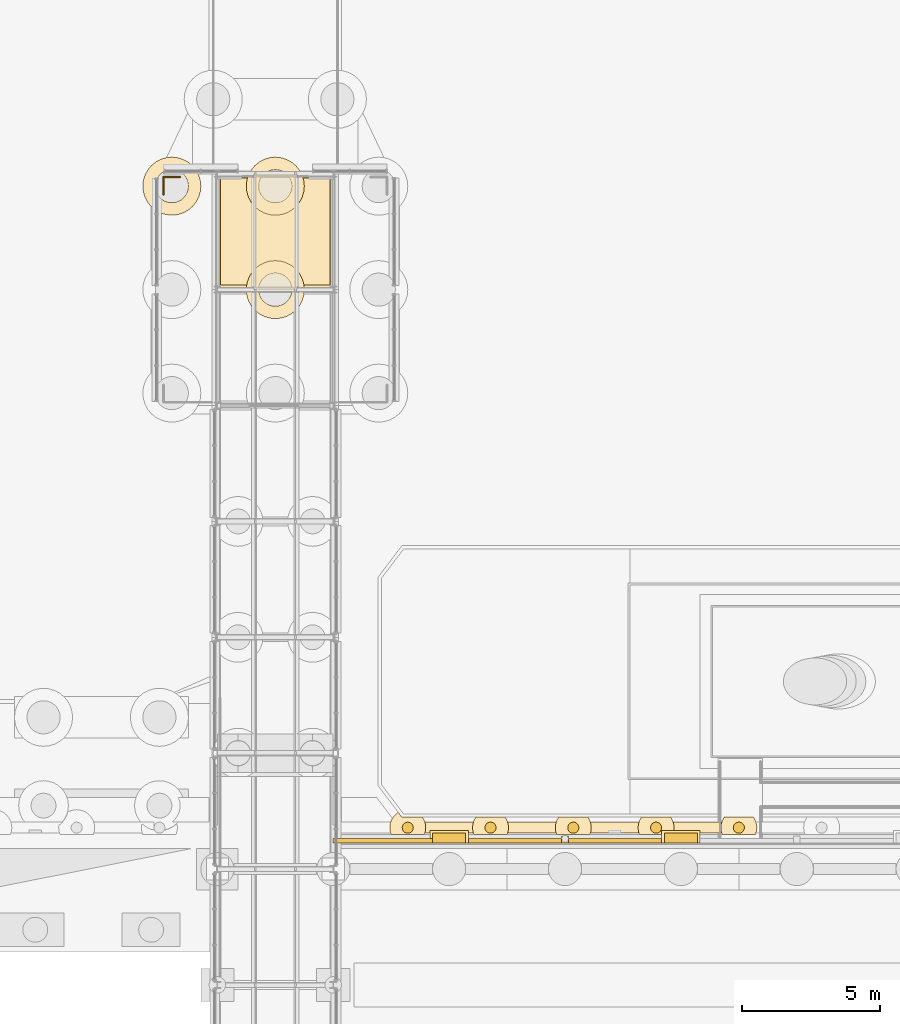
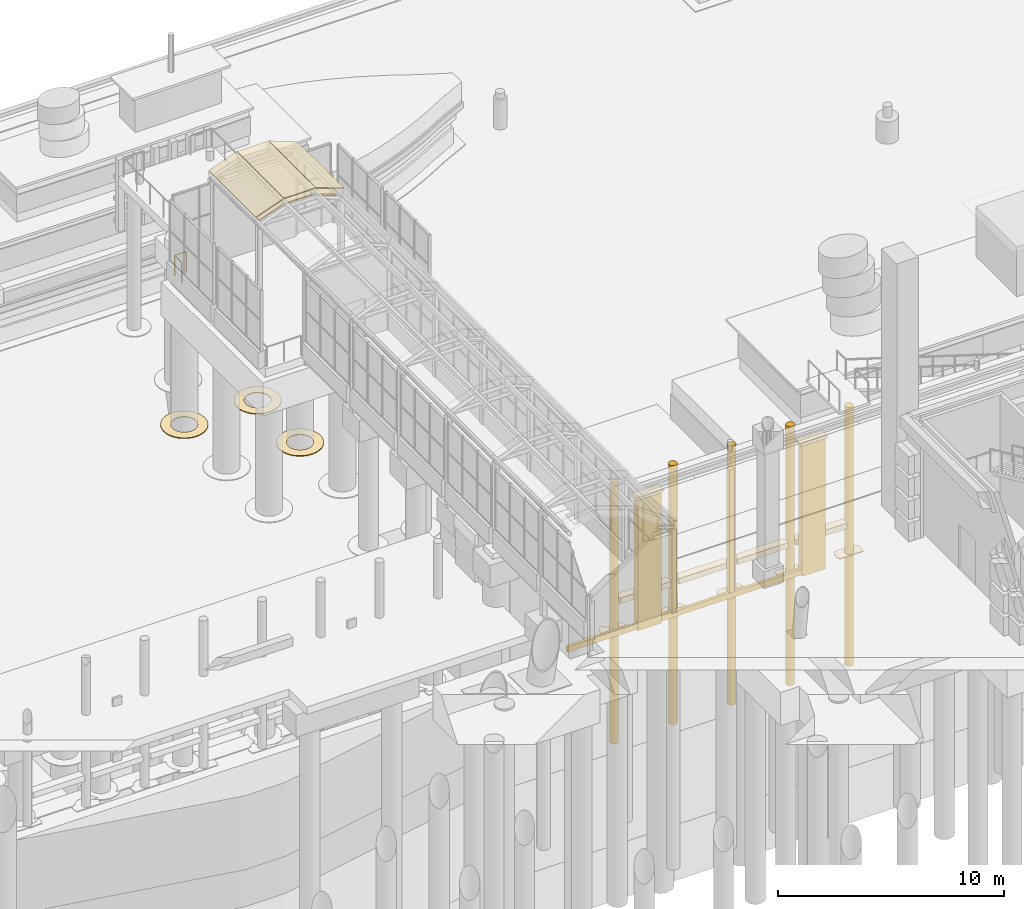
# One storey, part 190 of 222: 30 coverings, 2 railings.
"""IFC4 building model written with IfcOpenShell, lengths in metres."""

from ifc_helpers import new_model, si_unit, direction, frame, origin, origin_2d, place, context, subcontext, project, spatial, polyline, circle, outline, extrude, material, layer, layer_set, type_object, element, save


model = new_model("IFC4")

# Units and contexts
model_context = context("Model", 3, precision=1e-05, world=origin(), true_north=direction((0.0, 1.0)))
body_context = subcontext(model_context, "Body", "Model", "MODEL_VIEW")
ifc_project = project(units=[si_unit("LENGTHUNIT", "METRE"), si_unit("AREAUNIT", "SQUARE_METRE"), si_unit("VOLUMEUNIT", "CUBIC_METRE"), si_unit("PLANEANGLEUNIT", "RADIAN"), si_unit("MASSUNIT", "GRAM", prefix="KILO")], contexts=[model_context])

# Site, building, storey
site_placement = place(None, origin())
site = spatial("IfcSite", under=ifc_project, at=site_placement, CompositionType="ELEMENT")
building_placement = place(site_placement, origin())
building = spatial("IfcBuilding", under=site, at=building_placement, Name="Sava Quay Ferry Terminal", CompositionType="ELEMENT")
storey_placement = place(building_placement, origin())
storey = spatial("IfcBuildingStorey", under=building, at=storey_placement, Name="L00", CompositionType="ELEMENT", Elevation=0.0)

# Railings
ifc_material_1 = material(Name="Steel S355", Category="steel")
railing_type = type_object("IfcRailingType", Name="Edge guard 1100", PredefinedType="GUARDRAIL", material=ifc_material_1)
railing_1_placement = place(storey_placement, frame((73.64990234375, 142.050048828125, 0.0)))
element("IfcRailing", 1, at=railing_1_placement, inside=storey, type_object=railing_type, Name="Berth head north-west corner guard", PredefinedType="GUARDRAIL", context=body_context, shape_type="SweptSolid", body=[
    extrude(circle(Radius=0.02392578125, at=origin_2d()), frame((0.0, 0.0, 1.076171875), z_axis=(0.0, 1.0, 0.0), x_axis=(-1.0, 0.0, 0.0)), (0.0, 0.0, 1.0), 0.6298828125),
    extrude(circle(Radius=0.02099609375, at=origin_2d()), origin(), (0.0, 0.0, 1.0), 1.052001953125),
    extrude(circle(Radius=0.02099609375, at=origin_2d()), frame((0.0, 0.6298828125, 0.0)), (0.0, 0.0, 1.0), 1.052001953125),
])
railing_2_placement = place(storey_placement, frame((73.64990234375, 142.679931640625, 0.0)))
element("IfcRailing", 2, at=railing_2_placement, inside=storey, type_object=railing_type, Name="Berth head north-west corner guard", PredefinedType="GUARDRAIL", context=body_context, shape_type="SweptSolid", body=[
    extrude(circle(Radius=0.02392578125, at=origin_2d()), frame((0.0, 0.0, 1.076171875), z_axis=(1.0, 0.0, 0.0), x_axis=(0.0, 1.0, 0.0)), (0.0, 0.0, 1.0), 0.60009765625),
    extrude(circle(Radius=0.02099609375, at=origin_2d()), origin(), (0.0, 0.0, 1.0), 1.052001953125),
    extrude(circle(Radius=0.02099609375, at=origin_2d()), frame((0.60009765625, 0.0, 0.0)), (0.0, 0.0, 1.0), 1.052001953125),
])

# Coverings
ifc_material_2 = material(Name="Greenheart timber", Category="wood")
ifc_layer_1 = layer(ifc_material_2, 0.25)
ifc_layer_set_1 = layer_set([ifc_layer_1], Name="Greenheart timber")
covering_type_1 = type_object("IfcCoveringType", Name="Fender post 250", PredefinedType="CLADDING", material=ifc_layer_set_1)
covering_1_placement = place(storey_placement, frame((0.0, 0.0, -7.60009765625)))
element("IfcCovering", 3, at=covering_1_placement, inside=storey, type_object=covering_type_1, Name="Fender post", PredefinedType="CLADDING", context=body_context, shape_type="SweptSolid", body=[
    extrude(outline(polyline([(88.324951171875, 118.550048828125), (88.324951171875, 118.800048828125), (88.074951171875, 118.800048828125), (88.074951171875, 118.550048828125), (88.324951171875, 118.550048828125)])), origin(), (0.0, 0.0, 1.0), 6.650146484375),
])
ifc_material_3 = material(Name="Greenheart timber", Category="wood")
ifc_layer_2 = layer(ifc_material_3, 0.14990234375)
ifc_layer_set_2 = layer_set([ifc_layer_2], Name="Greenheart timber")
covering_type_2 = type_object("IfcCoveringType", Name="Fender rubbing strip 150", PredefinedType="CLADDING", material=ifc_layer_set_2)
covering_2_placement = place(storey_placement, frame((0.0, 0.0, -7.89990234375)))
element("IfcCovering", 4, at=covering_2_placement, inside=storey, type_object=covering_type_2, Name="Fender rubbing strip", PredefinedType="CLADDING", context=body_context, shape_type="SweptSolid", body=[
    extrude(outline(polyline([(84.610107421875, 118.550048828125), (91.7900390625, 118.550048828125), (91.7900390625, 118.699951171875), (84.610107421875, 118.699951171875), (84.610107421875, 118.550048828125)])), origin(), (0.0, 0.0, 1.0), 0.2998046875),
])
covering_3_placement = place(storey_placement, frame((0.0, 0.0, -7.89990234375)))
element("IfcCovering", 5, at=covering_3_placement, inside=storey, type_object=covering_type_2, Name="Fender rubbing strip", PredefinedType="CLADDING", context=body_context, shape_type="SweptSolid", body=[
    extrude(outline(polyline([(79.800048828125, 118.550048828125), (83.389892578125, 118.550048828125), (83.389892578125, 118.699951171875), (79.800048828125, 118.699951171875), (79.800048828125, 118.550048828125)])), origin(), (0.0, 0.0, 1.0), 0.2998046875),
])
ifc_material_4 = material(Name="Glulam GL28h", Category="wood")
ifc_layer_3 = layer(ifc_material_4, 0.06005859375)
ifc_layer_set_3 = layer_set([ifc_layer_3], Name="Glulam GL28h")
covering_type_3 = type_object("IfcCoveringType", Name="Glulam soffit lining 60", PredefinedType="CEILING", material=ifc_layer_set_3)
covering_4_placement = place(storey_placement, frame((75.71728515625, 138.760009765625, 4.645751953125), z_axis=(-0.342028329159, 0.0, 0.939689641346), x_axis=(0.939689641346, 0.0, 0.342028329159)))
element("IfcCovering", 6, at=covering_4_placement, inside=storey, type_object=covering_type_3, Name="Boarding gallery B2 timber soffit lining bay 8 facet 1", PredefinedType="CEILING", context=body_context, shape_type="SweptSolid", body=[
    extrude(outline(polyline([(0.0, 0.0), (1.3055444975084805, 0.0), (1.3055444975084805, 3.8798828125), (0.0, 3.8798828125), (0.0, 0.0)])), origin(), (0.0, 0.0, -1.0), 0.06005859375),
])
covering_5_placement = place(storey_placement, frame((76.963623046875, 138.760009765625, 5.095703125), z_axis=(0.0, 0.0, 1.0), x_axis=(1.0, 0.0, 0.0)))
element("IfcCovering", 7, at=covering_5_placement, inside=storey, type_object=covering_type_3, Name="Boarding gallery B2 timber soffit lining bay 8 facet 2", PredefinedType="CEILING", context=body_context, shape_type="SweptSolid", body=[
    extrude(outline(polyline([(0.0, 0.0), (1.472900390625, 0.0), (1.472900390625, 3.8798828125), (0.0, 3.8798828125), (0.0, 0.0)])), origin(), (0.0, 0.0, -1.0), 0.06005859375),
])
covering_6_placement = place(storey_placement, frame((78.455810546875, 138.760009765625, 5.09228515625), z_axis=(0.341968236193, 0.0, 0.939711511814), x_axis=(0.939711511814, 0.0, -0.341968236193)))
element("IfcCovering", 8, at=covering_6_placement, inside=storey, type_object=covering_type_3, Name="Boarding gallery B2 timber soffit lining bay 8 facet 3", PredefinedType="CEILING", context=body_context, shape_type="SweptSolid", body=[
    extrude(outline(polyline([(0.0, 0.0), (1.305773916594794, 0.0), (1.305773916594794, 3.8798828125), (0.0, 3.8798828125), (0.0, 0.0)])), origin(), (0.0, 0.0, -1.0), 0.06005859375),
])
ifc_material_5 = material(Name="Timber", Category="wood")
ifc_layer_4 = layer(ifc_material_5, 0.39990234375)
ifc_layer_set_4 = layer_set([ifc_layer_4], Name="Timber")
covering_type_4 = type_object("IfcCoveringType", Name="Quay fender pile 400", PredefinedType="CLADDING", material=ifc_layer_set_4)
for number, where, z_axis, x_axis, name in (
    (9, (82.5, 119.10009765625, 0.0), (0.0, 0.0, -1.0), (1.0, 0.0, 0.0), "Quay fender pile"),
    (10, (85.5, 119.10009765625, 0.0), (0.0, 0.0, -1.0), (1.0, 0.0, 0.0), "Quay fender pile"),
    (11, (88.5, 119.10009765625, 0.0), (0.0, 0.0, -1.0), (1.0, 0.0, 0.0), "Quay fender pile"),
    (12, (91.5, 119.10009765625, 0.0), (0.0, 0.0, -1.0), (1.0, 0.0, 0.0), "Quay fender pile"),
    (13, (94.5, 119.10009765625, 0.0), (0.0, 0.0, -1.0), (1.0, 0.0, 0.0), "Quay fender pile"),
):
    element("IfcCovering", number, at=place(storey_placement, frame(where, z_axis=z_axis, x_axis=x_axis)), inside=storey, type_object=covering_type_4, Name=name, PredefinedType="CLADDING", context=body_context, shape_type="SweptSolid", body=[
        extrude(circle(Radius=0.199951171875, at=origin_2d()), origin(), (0.0, 0.0, 1.0), 14.0),
    ])
ifc_material_6 = material(Name="Timber", Category="wood")
ifc_layer_5 = layer(ifc_material_6, 0.39990234375)
ifc_layer_set_5 = layer_set([ifc_layer_5], Name="Timber")
covering_type_5 = type_object("IfcCoveringType", Name="Quay fender waling", PredefinedType="MOLDING", material=ifc_layer_set_5)
covering_7_placement = place(storey_placement, frame((0.0, 0.0, -6.5)))
element("IfcCovering", 14, at=covering_7_placement, inside=storey, type_object=covering_type_5, Name="Quay fender waling", PredefinedType="MOLDING", context=body_context, shape_type="SweptSolid", body=[
    extrude(outline(polyline([(85.300048828125, 118.89990234375), (85.300048828125, 119.300048828125), (82.699951171875, 119.300048828125), (82.699951171875, 118.89990234375), (85.300048828125, 118.89990234375)])), origin(), (0.0, 0.0, 1.0), 0.300048828125),
])
covering_8_placement = place(storey_placement, frame((0.0, 0.0, -6.5)))
element("IfcCovering", 15, at=covering_8_placement, inside=storey, type_object=covering_type_5, Name="Quay fender waling", PredefinedType="MOLDING", context=body_context, shape_type="SweptSolid", body=[
    extrude(outline(polyline([(88.300048828125, 118.89990234375), (88.300048828125, 119.300048828125), (85.699951171875, 119.300048828125), (85.699951171875, 118.89990234375), (88.300048828125, 118.89990234375)])), origin(), (0.0, 0.0, 1.0), 0.300048828125),
])
covering_9_placement = place(storey_placement, frame((0.0, 0.0, -6.5)))
element("IfcCovering", 16, at=covering_9_placement, inside=storey, type_object=covering_type_5, Name="Quay fender waling", PredefinedType="MOLDING", context=body_context, shape_type="SweptSolid", body=[
    extrude(outline(polyline([(91.300048828125, 118.89990234375), (91.300048828125, 119.300048828125), (88.699951171875, 119.300048828125), (88.699951171875, 118.89990234375), (91.300048828125, 118.89990234375)])), origin(), (0.0, 0.0, 1.0), 0.300048828125),
])
covering_10_placement = place(storey_placement, frame((0.0, 0.0, -6.5)))
element("IfcCovering", 17, at=covering_10_placement, inside=storey, type_object=covering_type_5, Name="Quay fender waling", PredefinedType="MOLDING", context=body_context, shape_type="SweptSolid", body=[
    extrude(outline(polyline([(94.300048828125, 118.89990234375), (94.300048828125, 119.300048828125), (91.699951171875, 119.300048828125), (91.699951171875, 118.89990234375), (94.300048828125, 118.89990234375)])), origin(), (0.0, 0.0, 1.0), 0.300048828125),
])
ifc_material_7 = material(Name="Limestone Mutalj", Category="masonry")
ifc_layer_6 = layer(ifc_material_7, 0.449951171875)
ifc_layer_set_6 = layer_set([ifc_layer_6], Name="Limestone Mutalj")
covering_type_6 = type_object("IfcCoveringType", Name="Quay pilaster cap 1400", PredefinedType="MOLDING", material=ifc_layer_set_6)
covering_11_placement = place(storey_placement, frame((0.0, 0.0, -0.949951171875)))
element("IfcCovering", 18, at=covering_11_placement, inside=storey, type_object=covering_type_6, Name="Quay pilaster cap", PredefinedType="MOLDING", context=body_context, shape_type="SweptSolid", body=[
    extrude(outline(polyline([(84.699951171875, 118.550048828125), (84.699951171875, 119.0), (83.300048828125, 119.0), (83.300048828125, 118.550048828125), (84.699951171875, 118.550048828125)])), origin(), (0.0, 0.0, 1.0), 0.14990234375),
])
covering_12_placement = place(storey_placement, frame((0.0, 0.0, -0.949951171875)))
element("IfcCovering", 19, at=covering_12_placement, inside=storey, type_object=covering_type_6, Name="Quay pilaster cap", PredefinedType="MOLDING", context=body_context, shape_type="SweptSolid", body=[
    extrude(outline(polyline([(93.10009765625, 118.550048828125), (93.10009765625, 119.0), (91.699951171875, 119.0), (91.699951171875, 118.550048828125), (93.10009765625, 118.550048828125)])), origin(), (0.0, 0.0, 1.0), 0.14990234375),
])
ifc_material_8 = material(Name="Limestone Mutalj", Category="masonry")
ifc_layer_7 = layer(ifc_material_8, 0.35009765625)
ifc_layer_set_7 = layer_set([ifc_layer_7], Name="Limestone Mutalj")
covering_type_7 = type_object("IfcCoveringType", Name="Quay wall pilaster 1200", PredefinedType="CLADDING", material=ifc_layer_set_7)
covering_13_placement = place(storey_placement, frame((0.0, 0.0, -8.0)))
element("IfcCovering", 20, at=covering_13_placement, inside=storey, type_object=covering_type_7, Name="Quay wall pilaster", PredefinedType="CLADDING", context=body_context, shape_type="SweptSolid", body=[
    extrude(outline(polyline([(84.60009765625, 118.550048828125), (84.60009765625, 118.89990234375), (83.39990234375, 118.89990234375), (83.39990234375, 118.550048828125), (84.60009765625, 118.550048828125)])), origin(), (0.0, 0.0, 1.0), 7.050048828125),
])
covering_14_placement = place(storey_placement, frame((0.0, 0.0, -8.0)))
element("IfcCovering", 21, at=covering_14_placement, inside=storey, type_object=covering_type_7, Name="Quay wall pilaster", PredefinedType="CLADDING", context=body_context, shape_type="SweptSolid", body=[
    extrude(outline(polyline([(93.0, 118.550048828125), (93.0, 118.89990234375), (91.800048828125, 118.89990234375), (91.800048828125, 118.550048828125), (93.0, 118.550048828125)])), origin(), (0.0, 0.0, 1.0), 7.050048828125),
])
ifc_material_9 = material(Name="Water")
ifc_layer_8 = layer(ifc_material_9, 0.0400390625)
ifc_layer_set_8 = layer_set([ifc_layer_8], Name="Water")
covering_type_8 = type_object("IfcCoveringType", Name="River foam collar", PredefinedType="CLADDING", material=ifc_layer_set_8)
covering_15_placement = place(storey_placement, frame((0.0, 0.0, -8.0)))
element("IfcCovering", 22, at=covering_15_placement, inside=storey, type_object=covering_type_8, Name="River foam collar", PredefinedType="CLADDING", context=body_context, shape_type="SweptSolid", body=[
    extrude(outline(polyline([(74.922119140625, 142.7529296875), (74.824951171875, 142.93505859375), (74.694091796875, 143.093994140625), (74.534912109375, 143.22509765625), (74.35302734375, 143.322021484375), (74.155029296875, 143.382080078125), (73.949951171875, 143.402099609375), (73.7451171875, 143.382080078125), (73.547119140625, 143.322021484375), (73.364990234375, 143.22509765625), (73.2060546875, 143.093994140625), (73.074951171875, 142.93505859375), (72.97802734375, 142.7529296875), (72.91796875, 142.554931640625), (72.89794921875, 142.35009765625), (72.91796875, 142.14501953125), (72.97802734375, 141.947021484375), (73.074951171875, 141.764892578125), (73.2060546875, 141.60595703125), (73.364990234375, 141.47509765625), (73.547119140625, 141.3779296875), (73.7451171875, 141.318115234375), (73.949951171875, 141.298095703125), (74.155029296875, 141.318115234375), (74.35302734375, 141.3779296875), (74.534912109375, 141.47509765625), (74.694091796875, 141.60595703125), (74.824951171875, 141.764892578125), (74.922119140625, 141.947021484375), (74.98193359375, 142.14501953125), (75.001953125, 142.35009765625), (74.98193359375, 142.554931640625), (74.922119140625, 142.7529296875)]), holes=[polyline([(74.50390625, 142.1201171875), (74.448974609375, 142.01708984375), (74.3740234375, 141.926025390625), (74.282958984375, 141.85107421875), (74.179931640625, 141.7958984375), (74.06689453125, 141.761962890625), (73.949951171875, 141.75), (73.8330078125, 141.761962890625), (73.719970703125, 141.7958984375), (73.616943359375, 141.85107421875), (73.52587890625, 141.926025390625), (73.450927734375, 142.01708984375), (73.39599609375, 142.1201171875), (73.362060546875, 142.23291015625), (73.35009765625, 142.35009765625), (73.362060546875, 142.467041015625), (73.39599609375, 142.580078125), (73.450927734375, 142.68310546875), (73.52587890625, 142.77392578125), (73.616943359375, 142.84912109375), (73.719970703125, 142.904052734375), (73.8330078125, 142.93798828125), (73.949951171875, 142.949951171875), (74.06689453125, 142.93798828125), (74.179931640625, 142.904052734375), (74.282958984375, 142.84912109375), (74.3740234375, 142.77392578125), (74.448974609375, 142.68310546875), (74.50390625, 142.580078125), (74.5380859375, 142.467041015625), (74.550048828125, 142.35009765625), (74.5380859375, 142.23291015625), (74.50390625, 142.1201171875)])]), origin(), (0.0, 0.0, 1.0), 0.0400390625),
])
covering_16_placement = place(storey_placement, frame((0.0, 0.0, -8.0)))
element("IfcCovering", 23, at=covering_16_placement, inside=storey, type_object=covering_type_8, Name="River foam collar", PredefinedType="CLADDING", context=body_context, shape_type="SweptSolid", body=[
    extrude(outline(polyline([(78.751953125, 138.60009765625), (78.73193359375, 138.804931640625), (78.672119140625, 139.0029296875), (78.574951171875, 139.18505859375), (78.444091796875, 139.343994140625), (78.284912109375, 139.47509765625), (78.10302734375, 139.572021484375), (77.905029296875, 139.632080078125), (77.699951171875, 139.652099609375), (77.4951171875, 139.632080078125), (77.297119140625, 139.572021484375), (77.114990234375, 139.47509765625), (76.9560546875, 139.343994140625), (76.824951171875, 139.18505859375), (76.72802734375, 139.0029296875), (76.66796875, 138.804931640625), (76.64794921875, 138.60009765625), (76.66796875, 138.39501953125), (76.72802734375, 138.197021484375), (76.824951171875, 138.014892578125), (76.9560546875, 137.85595703125), (77.114990234375, 137.72509765625), (77.297119140625, 137.6279296875), (77.4951171875, 137.568115234375), (77.699951171875, 137.548095703125), (77.905029296875, 137.568115234375), (78.10302734375, 137.6279296875), (78.284912109375, 137.72509765625), (78.444091796875, 137.85595703125), (78.574951171875, 138.014892578125), (78.672119140625, 138.197021484375), (78.73193359375, 138.39501953125), (78.751953125, 138.60009765625)]), holes=[polyline([(78.300048828125, 138.60009765625), (78.2880859375, 138.48291015625), (78.25390625, 138.3701171875), (78.198974609375, 138.26708984375), (78.1240234375, 138.176025390625), (78.032958984375, 138.10107421875), (77.929931640625, 138.0458984375), (77.81689453125, 138.011962890625), (77.699951171875, 138.0), (77.5830078125, 138.011962890625), (77.469970703125, 138.0458984375), (77.366943359375, 138.10107421875), (77.27587890625, 138.176025390625), (77.200927734375, 138.26708984375), (77.14599609375, 138.3701171875), (77.112060546875, 138.48291015625), (77.10009765625, 138.60009765625), (77.112060546875, 138.717041015625), (77.14599609375, 138.830078125), (77.200927734375, 138.93310546875), (77.27587890625, 139.02392578125), (77.366943359375, 139.09912109375), (77.469970703125, 139.154052734375), (77.5830078125, 139.18798828125), (77.699951171875, 139.199951171875), (77.81689453125, 139.18798828125), (77.929931640625, 139.154052734375), (78.032958984375, 139.09912109375), (78.1240234375, 139.02392578125), (78.198974609375, 138.93310546875), (78.25390625, 138.830078125), (78.2880859375, 138.717041015625), (78.300048828125, 138.60009765625)])]), origin(), (0.0, 0.0, 1.0), 0.0400390625),
])
covering_17_placement = place(storey_placement, frame((0.0, 0.0, -8.0)))
element("IfcCovering", 24, at=covering_17_placement, inside=storey, type_object=covering_type_8, Name="River foam collar", PredefinedType="CLADDING", context=body_context, shape_type="SweptSolid", body=[
    extrude(outline(polyline([(78.73193359375, 142.14501953125), (78.751953125, 142.35009765625), (78.73193359375, 142.554931640625), (78.672119140625, 142.7529296875), (78.574951171875, 142.93505859375), (78.444091796875, 143.093994140625), (78.284912109375, 143.22509765625), (78.10302734375, 143.322021484375), (77.905029296875, 143.382080078125), (77.699951171875, 143.402099609375), (77.4951171875, 143.382080078125), (77.297119140625, 143.322021484375), (77.114990234375, 143.22509765625), (76.9560546875, 143.093994140625), (76.824951171875, 142.93505859375), (76.72802734375, 142.7529296875), (76.66796875, 142.554931640625), (76.64794921875, 142.35009765625), (76.66796875, 142.14501953125), (76.72802734375, 141.947021484375), (76.824951171875, 141.764892578125), (76.9560546875, 141.60595703125), (77.114990234375, 141.47509765625), (77.297119140625, 141.3779296875), (77.4951171875, 141.318115234375), (77.699951171875, 141.298095703125), (77.905029296875, 141.318115234375), (78.10302734375, 141.3779296875), (78.284912109375, 141.47509765625), (78.444091796875, 141.60595703125), (78.574951171875, 141.764892578125), (78.672119140625, 141.947021484375), (78.73193359375, 142.14501953125)]), holes=[polyline([(78.2880859375, 142.467041015625), (78.300048828125, 142.35009765625), (78.2880859375, 142.23291015625), (78.25390625, 142.1201171875), (78.198974609375, 142.01708984375), (78.1240234375, 141.926025390625), (78.032958984375, 141.85107421875), (77.929931640625, 141.7958984375), (77.81689453125, 141.761962890625), (77.699951171875, 141.75), (77.5830078125, 141.761962890625), (77.469970703125, 141.7958984375), (77.366943359375, 141.85107421875), (77.27587890625, 141.926025390625), (77.200927734375, 142.01708984375), (77.14599609375, 142.1201171875), (77.112060546875, 142.23291015625), (77.10009765625, 142.35009765625), (77.112060546875, 142.467041015625), (77.14599609375, 142.580078125), (77.200927734375, 142.68310546875), (77.27587890625, 142.77392578125), (77.366943359375, 142.84912109375), (77.469970703125, 142.904052734375), (77.5830078125, 142.93798828125), (77.699951171875, 142.949951171875), (77.81689453125, 142.93798828125), (77.929931640625, 142.904052734375), (78.032958984375, 142.84912109375), (78.1240234375, 142.77392578125), (78.198974609375, 142.68310546875), (78.25390625, 142.580078125), (78.2880859375, 142.467041015625)])]), origin(), (0.0, 0.0, 1.0), 0.0400390625),
])
covering_18_placement = place(storey_placement, frame((0.0, 0.0, -8.0)))
element("IfcCovering", 25, at=covering_18_placement, inside=storey, type_object=covering_type_8, Name="River foam collar", PredefinedType="CLADDING", context=body_context, shape_type="SweptSolid", body=[
    extrude(outline(polyline([(81.89794921875, 118.85009765625), (83.10205078125, 118.85009765625), (83.139892578125, 118.972900390625), (83.152099609375, 119.10009765625), (83.139892578125, 119.22705078125), (83.10302734375, 119.35009765625), (83.0419921875, 119.4619140625), (83.028076171875, 119.47998046875), (82.2900390625, 119.47998046875), (82.158935546875, 119.653076171875), (82.137939453125, 119.64208984375), (82.0390625, 119.56103515625), (81.9580078125, 119.4619140625), (81.89697265625, 119.35009765625), (81.860107421875, 119.22705078125), (81.847900390625, 119.10009765625), (81.860107421875, 118.972900390625), (81.89794921875, 118.85009765625)]), holes=[polyline([(82.423095703125, 118.9150390625), (82.388916015625, 118.93408203125), (82.35888671875, 118.958984375), (82.333984375, 118.989013671875), (82.31494140625, 119.02294921875), (82.303955078125, 119.06103515625), (82.300048828125, 119.10009765625), (82.303955078125, 119.138916015625), (82.31494140625, 119.177001953125), (82.333984375, 119.2109375), (82.35888671875, 119.240966796875), (82.388916015625, 119.26611328125), (82.423095703125, 119.284912109375), (82.4609375, 119.2958984375), (82.5, 119.300048828125), (82.5390625, 119.2958984375), (82.576904296875, 119.284912109375), (82.611083984375, 119.26611328125), (82.64111328125, 119.240966796875), (82.666015625, 119.2109375), (82.68505859375, 119.177001953125), (82.696044921875, 119.138916015625), (82.699951171875, 119.10009765625), (82.696044921875, 119.06103515625), (82.68505859375, 119.02294921875), (82.666015625, 118.989013671875), (82.64111328125, 118.958984375), (82.611083984375, 118.93408203125), (82.576904296875, 118.9150390625), (82.5390625, 118.904052734375), (82.5, 118.89990234375), (82.4609375, 118.904052734375), (82.423095703125, 118.9150390625)])]), origin(), (0.0, 0.0, 1.0), 0.0400390625),
])
covering_19_placement = place(storey_placement, frame((0.0, 0.0, -8.0)))
element("IfcCovering", 26, at=covering_19_placement, inside=storey, type_object=covering_type_8, Name="River foam collar", PredefinedType="CLADDING", context=body_context, shape_type="SweptSolid", body=[
    extrude(outline(polyline([(84.847900390625, 119.10009765625), (84.860107421875, 118.972900390625), (84.89794921875, 118.85009765625), (86.10205078125, 118.85009765625), (86.139892578125, 118.972900390625), (86.152099609375, 119.10009765625), (86.139892578125, 119.22705078125), (86.10302734375, 119.35009765625), (86.0419921875, 119.4619140625), (86.028076171875, 119.47998046875), (84.971923828125, 119.47998046875), (84.9580078125, 119.4619140625), (84.89697265625, 119.35009765625), (84.860107421875, 119.22705078125), (84.847900390625, 119.10009765625)]), holes=[polyline([(85.4609375, 118.904052734375), (85.423095703125, 118.9150390625), (85.388916015625, 118.93408203125), (85.35888671875, 118.958984375), (85.333984375, 118.989013671875), (85.31494140625, 119.02294921875), (85.303955078125, 119.06103515625), (85.300048828125, 119.10009765625), (85.303955078125, 119.138916015625), (85.31494140625, 119.177001953125), (85.333984375, 119.2109375), (85.35888671875, 119.240966796875), (85.388916015625, 119.26611328125), (85.423095703125, 119.284912109375), (85.4609375, 119.2958984375), (85.5, 119.300048828125), (85.5390625, 119.2958984375), (85.576904296875, 119.284912109375), (85.611083984375, 119.26611328125), (85.64111328125, 119.240966796875), (85.666015625, 119.2109375), (85.68505859375, 119.177001953125), (85.696044921875, 119.138916015625), (85.699951171875, 119.10009765625), (85.696044921875, 119.06103515625), (85.68505859375, 119.02294921875), (85.666015625, 118.989013671875), (85.64111328125, 118.958984375), (85.611083984375, 118.93408203125), (85.576904296875, 118.9150390625), (85.5390625, 118.904052734375), (85.5, 118.89990234375), (85.4609375, 118.904052734375)])]), origin(), (0.0, 0.0, 1.0), 0.0400390625),
])
covering_20_placement = place(storey_placement, frame((0.0, 0.0, -8.0)))
element("IfcCovering", 27, at=covering_20_placement, inside=storey, type_object=covering_type_8, Name="River foam collar", PredefinedType="CLADDING", context=body_context, shape_type="SweptSolid", body=[
    extrude(outline(polyline([(87.860107421875, 119.22705078125), (87.847900390625, 119.10009765625), (87.860107421875, 118.972900390625), (87.89794921875, 118.85009765625), (89.10205078125, 118.85009765625), (89.139892578125, 118.972900390625), (89.152099609375, 119.10009765625), (89.139892578125, 119.22705078125), (89.10302734375, 119.35009765625), (89.0419921875, 119.4619140625), (89.028076171875, 119.47998046875), (87.971923828125, 119.47998046875), (87.9580078125, 119.4619140625), (87.89697265625, 119.35009765625), (87.860107421875, 119.22705078125)]), holes=[polyline([(88.5, 118.89990234375), (88.4609375, 118.904052734375), (88.423095703125, 118.9150390625), (88.388916015625, 118.93408203125), (88.35888671875, 118.958984375), (88.333984375, 118.989013671875), (88.31494140625, 119.02294921875), (88.303955078125, 119.06103515625), (88.300048828125, 119.10009765625), (88.303955078125, 119.138916015625), (88.31494140625, 119.177001953125), (88.333984375, 119.2109375), (88.35888671875, 119.240966796875), (88.388916015625, 119.26611328125), (88.423095703125, 119.284912109375), (88.4609375, 119.2958984375), (88.5, 119.300048828125), (88.5390625, 119.2958984375), (88.576904296875, 119.284912109375), (88.611083984375, 119.26611328125), (88.64111328125, 119.240966796875), (88.666015625, 119.2109375), (88.68505859375, 119.177001953125), (88.696044921875, 119.138916015625), (88.699951171875, 119.10009765625), (88.696044921875, 119.06103515625), (88.68505859375, 119.02294921875), (88.666015625, 118.989013671875), (88.64111328125, 118.958984375), (88.611083984375, 118.93408203125), (88.576904296875, 118.9150390625), (88.5390625, 118.904052734375), (88.5, 118.89990234375)])]), origin(), (0.0, 0.0, 1.0), 0.0400390625),
])
covering_21_placement = place(storey_placement, frame((0.0, 0.0, -8.0)))
element("IfcCovering", 28, at=covering_21_placement, inside=storey, type_object=covering_type_8, Name="River foam collar", PredefinedType="CLADDING", context=body_context, shape_type="SweptSolid", body=[
    extrude(outline(polyline([(91.800048828125, 118.85009765625), (91.800048828125, 118.89990234375), (92.117919921875, 118.89990234375), (92.139892578125, 118.972900390625), (92.152099609375, 119.10009765625), (92.139892578125, 119.22705078125), (92.10302734375, 119.35009765625), (92.0419921875, 119.4619140625), (92.028076171875, 119.47998046875), (90.971923828125, 119.47998046875), (90.9580078125, 119.4619140625), (90.89697265625, 119.35009765625), (90.860107421875, 119.22705078125), (90.847900390625, 119.10009765625), (90.860107421875, 118.972900390625), (90.89794921875, 118.85009765625), (91.800048828125, 118.85009765625)]), holes=[polyline([(91.5390625, 118.904052734375), (91.5, 118.89990234375), (91.4609375, 118.904052734375), (91.423095703125, 118.9150390625), (91.388916015625, 118.93408203125), (91.35888671875, 118.958984375), (91.333984375, 118.989013671875), (91.31494140625, 119.02294921875), (91.303955078125, 119.06103515625), (91.300048828125, 119.10009765625), (91.303955078125, 119.138916015625), (91.31494140625, 119.177001953125), (91.333984375, 119.2109375), (91.35888671875, 119.240966796875), (91.388916015625, 119.26611328125), (91.423095703125, 119.284912109375), (91.4609375, 119.2958984375), (91.5, 119.300048828125), (91.5390625, 119.2958984375), (91.576904296875, 119.284912109375), (91.611083984375, 119.26611328125), (91.64111328125, 119.240966796875), (91.666015625, 119.2109375), (91.68505859375, 119.177001953125), (91.696044921875, 119.138916015625), (91.699951171875, 119.10009765625), (91.696044921875, 119.06103515625), (91.68505859375, 119.02294921875), (91.666015625, 118.989013671875), (91.64111328125, 118.958984375), (91.611083984375, 118.93408203125), (91.576904296875, 118.9150390625), (91.5390625, 118.904052734375)])]), origin(), (0.0, 0.0, 1.0), 0.0400390625),
])
covering_22_placement = place(storey_placement, frame((0.0, 0.0, -8.0)))
element("IfcCovering", 29, at=covering_22_placement, inside=storey, type_object=covering_type_8, Name="River foam collar", PredefinedType="CLADDING", context=body_context, shape_type="SweptSolid", body=[
    extrude(outline(polyline([(93.9580078125, 119.4619140625), (93.89697265625, 119.35009765625), (93.860107421875, 119.22705078125), (93.847900390625, 119.10009765625), (93.860107421875, 118.972900390625), (93.89794921875, 118.85009765625), (95.10205078125, 118.85009765625), (95.139892578125, 118.972900390625), (95.152099609375, 119.10009765625), (95.139892578125, 119.22705078125), (95.10302734375, 119.35009765625), (95.0419921875, 119.4619140625), (95.028076171875, 119.47998046875), (93.971923828125, 119.47998046875), (93.9580078125, 119.4619140625)]), holes=[polyline([(94.576904296875, 118.9150390625), (94.5390625, 118.904052734375), (94.5, 118.89990234375), (94.4609375, 118.904052734375), (94.423095703125, 118.9150390625), (94.388916015625, 118.93408203125), (94.35888671875, 118.958984375), (94.333984375, 118.989013671875), (94.31494140625, 119.02294921875), (94.303955078125, 119.06103515625), (94.300048828125, 119.10009765625), (94.303955078125, 119.138916015625), (94.31494140625, 119.177001953125), (94.333984375, 119.2109375), (94.35888671875, 119.240966796875), (94.388916015625, 119.26611328125), (94.423095703125, 119.284912109375), (94.4609375, 119.2958984375), (94.5, 119.300048828125), (94.5390625, 119.2958984375), (94.576904296875, 119.284912109375), (94.611083984375, 119.26611328125), (94.64111328125, 119.240966796875), (94.666015625, 119.2109375), (94.68505859375, 119.177001953125), (94.696044921875, 119.138916015625), (94.699951171875, 119.10009765625), (94.696044921875, 119.06103515625), (94.68505859375, 119.02294921875), (94.666015625, 118.989013671875), (94.64111328125, 118.958984375), (94.611083984375, 118.93408203125), (94.576904296875, 118.9150390625)])]), origin(), (0.0, 0.0, 1.0), 0.0400390625),
])
ifc_material_10 = material(Name="Zinc standing seam sheet")
ifc_layer_9 = layer(ifc_material_10, 0.0400390625)
ifc_layer_set_9 = layer_set([ifc_layer_9], Name="Zinc standing seam sheet")
covering_type_9 = type_object("IfcCoveringType", Name="Standing seam roofing 40", PredefinedType="ROOFING", material=ifc_layer_set_9)
covering_23_placement = place(storey_placement, frame((75.43603515625, 138.610107421875, 4.979736328125), z_axis=(-0.342089424704, 0.0, 0.939667401534), x_axis=(0.939667401534, 0.0, 0.342089424704)))
element("IfcCovering", 30, at=covering_23_placement, inside=storey, type_object=covering_type_9, Name="Boarding gallery B2 roofing bay 8 facet 1", PredefinedType="ROOFING", context=body_context, shape_type="SweptSolid", body=[
    extrude(outline(polyline([(0.0, 0.0), (1.5279778922638676, 0.0), (1.5279778922638676, 4.179931640625), (0.0, 4.179931640625), (0.0, 0.0)])), origin(), (0.0, 0.0, -1.0), 0.0400390625),
])
covering_24_placement = place(storey_placement, frame((76.891357421875, 138.610107421875, 5.505859375), z_axis=(0.0, 0.0, 1.0), x_axis=(1.0, 0.0, 0.0)))
element("IfcCovering", 31, at=covering_24_placement, inside=storey, type_object=covering_type_9, Name="Boarding gallery B2 roofing bay 8 facet 2", PredefinedType="ROOFING", context=body_context, shape_type="SweptSolid", body=[
    extrude(outline(polyline([(0.0, 0.0), (1.617431640625, 0.0), (1.617431640625, 4.179931640625), (0.0, 4.179931640625), (0.0, 0.0)])), origin(), (0.0, 0.0, -1.0), 0.0400390625),
])
covering_25_placement = place(storey_placement, frame((78.528076171875, 138.610107421875, 5.50244140625), z_axis=(0.342089424704, 0.0, 0.939667401534), x_axis=(0.939667401534, 0.0, -0.342089424704)))
element("IfcCovering", 32, at=covering_25_placement, inside=storey, type_object=covering_type_9, Name="Boarding gallery B2 roofing bay 8 facet 3", PredefinedType="ROOFING", context=body_context, shape_type="SweptSolid", body=[
    extrude(outline(polyline([(0.0, 0.0), (1.5279778922638676, 0.0), (1.5279778922638676, 4.179931640625), (0.0, 4.179931640625), (0.0, 0.0)])), origin(), (0.0, 0.0, -1.0), 0.0400390625),
])

save(model, "model.ifc")
